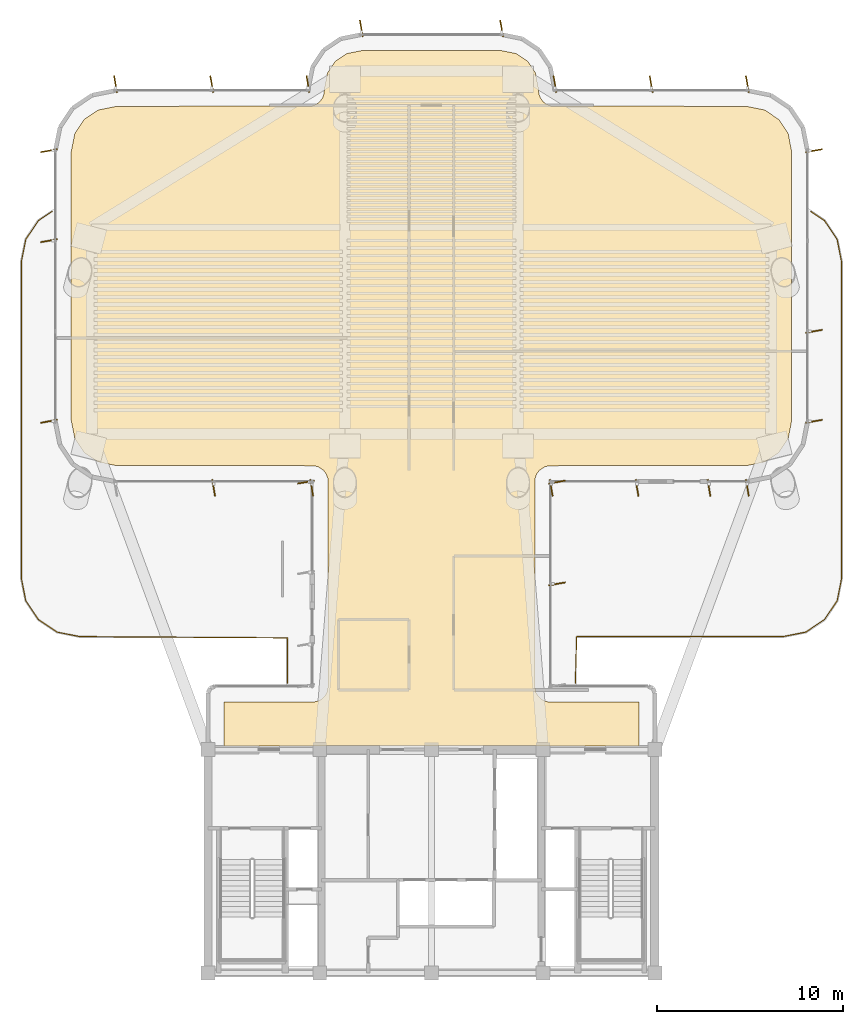
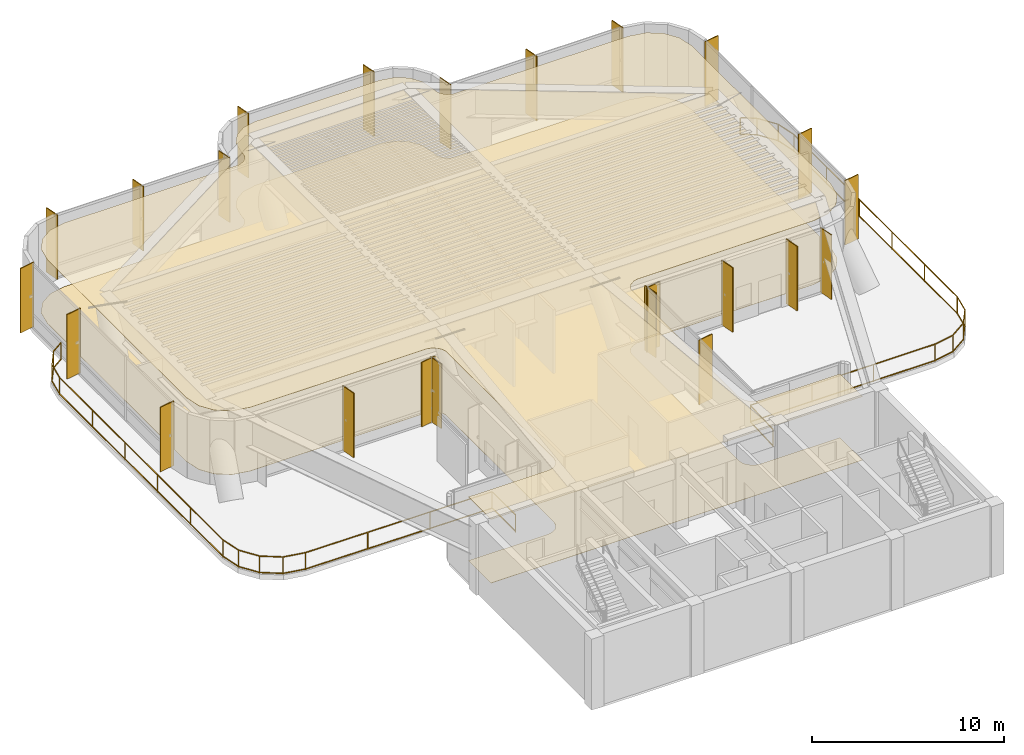
# One storey, part 13 of 13: 23 shading devices, 2 coverings, 2 railings.
"""IFC4 building model written with IfcOpenShell, lengths in metres."""

from ifc_helpers import new_model, si_unit, direction, frame, origin, origin_2d, place, context, subcontext, project, spatial, polyline, rectangle, outline, extrude, source, transform, mapped, material, layer, layer_set, material_profile, profile_set, type_object, element, save


model = new_model("IFC4")

# Units and contexts
model_context = context("Model", 3, precision=1e-05, world=origin(), true_north=direction((0.0, 1.0)))
body_context = subcontext(model_context, "Body", "Model", "MODEL_VIEW")
ifc_project = project(units=[si_unit("LENGTHUNIT", "METRE"), si_unit("AREAUNIT", "SQUARE_METRE"), si_unit("VOLUMEUNIT", "CUBIC_METRE"), si_unit("PLANEANGLEUNIT", "RADIAN"), si_unit("MASSUNIT", "GRAM", prefix="KILO")], contexts=[model_context])

# Site, building, storey
site_placement = place(None, origin())
site = spatial("IfcSite", under=ifc_project, at=site_placement, CompositionType="ELEMENT")
building_placement = place(site_placement, origin())
building = spatial("IfcBuilding", under=site, at=building_placement, Name="Brelvock Crest Care Tower", CompositionType="ELEMENT")
storey_placement = place(building_placement, frame((0.0, 0.0, 151.919921875)))
storey = spatial("IfcBuildingStorey", under=building, at=storey_placement, Name="L38", CompositionType="ELEMENT", Elevation=151.919921875)

# Coverings
ifc_material_1 = material(Name="Mineral Fibre Acoustic Ceiling Tile", Category="gypsum")
ifc_layer_1 = layer(ifc_material_1, 0.02490234375, Name="COV-CLG1")
ifc_layer_set_1 = layer_set([ifc_layer_1], Name="Mineral Fibre Acoustic Ceiling Tile")
covering_type_1 = type_object("IfcCoveringType", Name="COV-CLG1", PredefinedType="CEILING", material=ifc_layer_set_1)
covering_1_placement = place(storey_placement, frame((0.0, 0.0, 4.037109375)))
element("IfcCovering", 1, at=covering_1_placement, inside=storey, type_object=covering_type_1, Name="L38 Acoustic Suspended Ceiling 1", PredefinedType="CEILING", context=body_context, shape_type="SweptSolid", body=[
    extrude(outline(polyline([(24.85009765625, 18.199951171875), (47.14990234375, 18.199951171875), (47.14990234375, 20.550048828125), (42.316650390625, 20.55419921875), (42.1533203125, 20.586669921875), (41.927734375, 20.693359375), (41.742919921875, 20.86083984375), (41.61474609375, 21.07470703125), (41.550048828125, 21.39990234375), (41.56640625, 32.56591796875), (41.650390625, 32.80078125), (41.799072265625, 33.0009765625), (42.07470703125, 33.185302734375), (42.316650390625, 33.245849609375), (52.916259765625, 33.25), (53.892822265625, 33.4443359375), (54.64990234375, 33.9501953125), (55.15576171875, 34.70703125), (55.35009765625, 35.68359375), (55.35009765625, 50.1162109375), (55.15576171875, 51.093017578125), (54.64990234375, 51.849853515625), (53.892822265625, 52.355712890625), (52.916259765625, 52.550048828125), (42.43408203125, 52.56640625), (42.127685546875, 52.693359375), (41.9990234375, 52.799072265625), (41.850341796875, 52.999267578125), (41.766357421875, 53.234130859375), (41.75, 53.516357421875), (41.586181640625, 54.33984375), (41.1669921875, 54.967041015625), (40.539794921875, 55.38623046875), (39.71630859375, 55.550048828125), (32.28369140625, 55.550048828125), (31.460205078125, 55.38623046875), (30.8330078125, 54.967041015625), (30.413818359375, 54.33984375), (30.25, 53.516357421875), (30.233642578125, 53.234130859375), (30.149658203125, 52.999267578125), (30.0009765625, 52.799072265625), (29.872314453125, 52.693359375), (29.56591796875, 52.56640625), (19.083740234375, 52.550048828125), (18.107177734375, 52.355712890625), (17.35009765625, 51.849853515625), (16.84423828125, 51.093017578125), (16.64990234375, 50.1162109375), (16.64990234375, 35.68359375), (16.84423828125, 34.70703125), (17.35009765625, 33.9501953125), (18.107177734375, 33.4443359375), (19.083740234375, 33.25), (29.683349609375, 33.245849609375), (29.92529296875, 33.185302734375), (30.200927734375, 33.0009765625), (30.349609375, 32.80078125), (30.43359375, 32.56591796875), (30.449951171875, 21.39990234375), (30.38525390625, 21.07470703125), (30.257080078125, 20.86083984375), (30.13916015625, 20.742919921875), (29.92529296875, 20.61474609375), (29.683349609375, 20.55419921875), (24.85009765625, 20.550048828125), (24.85009765625, 18.199951171875)])), origin(), (0.0, 0.0, 1.0), 0.02490234375),
])
ifc_material_2 = material(Name="Slip-Resistant Acoustic Vinyl Flooring", Category="finish")
ifc_layer_2 = layer(ifc_material_2, 0.014892578125, Name="COV-FLR1")
ifc_layer_set_2 = layer_set([ifc_layer_2], Name="Slip-Resistant Acoustic Vinyl Flooring")
covering_type_2 = type_object("IfcCoveringType", Name="COV-FLR1", PredefinedType="FLOORING", material=ifc_layer_set_2)
covering_2_placement = place(storey_placement, origin())
element("IfcCovering", 2, at=covering_2_placement, inside=storey, type_object=covering_type_2, Name="L38 Slip-Resistant Acoustic Flooring 1", PredefinedType="FLOORING", context=body_context, shape_type="SweptSolid", body=[
    extrude(outline(polyline([(24.85009765625, 18.199951171875), (47.14990234375, 18.199951171875), (47.14990234375, 20.550048828125), (42.316650390625, 20.55419921875), (42.1533203125, 20.586669921875), (41.927734375, 20.693359375), (41.742919921875, 20.86083984375), (41.61474609375, 21.07470703125), (41.550048828125, 21.39990234375), (41.56640625, 32.56591796875), (41.650390625, 32.80078125), (41.799072265625, 33.0009765625), (42.07470703125, 33.185302734375), (42.316650390625, 33.245849609375), (52.916259765625, 33.25), (53.892822265625, 33.4443359375), (54.64990234375, 33.9501953125), (55.15576171875, 34.70703125), (55.35009765625, 35.68359375), (55.35009765625, 50.1162109375), (55.15576171875, 51.093017578125), (54.64990234375, 51.849853515625), (53.892822265625, 52.355712890625), (52.916259765625, 52.550048828125), (42.43408203125, 52.56640625), (42.127685546875, 52.693359375), (41.9990234375, 52.799072265625), (41.850341796875, 52.999267578125), (41.766357421875, 53.234130859375), (41.75, 53.516357421875), (41.586181640625, 54.33984375), (41.1669921875, 54.967041015625), (40.539794921875, 55.38623046875), (39.71630859375, 55.550048828125), (32.28369140625, 55.550048828125), (31.460205078125, 55.38623046875), (30.8330078125, 54.967041015625), (30.413818359375, 54.33984375), (30.25, 53.516357421875), (30.233642578125, 53.234130859375), (30.149658203125, 52.999267578125), (30.0009765625, 52.799072265625), (29.872314453125, 52.693359375), (29.56591796875, 52.56640625), (19.083740234375, 52.550048828125), (18.107177734375, 52.355712890625), (17.35009765625, 51.849853515625), (16.84423828125, 51.093017578125), (16.64990234375, 50.1162109375), (16.64990234375, 35.68359375), (16.84423828125, 34.70703125), (17.35009765625, 33.9501953125), (18.107177734375, 33.4443359375), (19.083740234375, 33.25), (29.683349609375, 33.245849609375), (29.92529296875, 33.185302734375), (30.200927734375, 33.0009765625), (30.349609375, 32.80078125), (30.43359375, 32.56591796875), (30.449951171875, 21.39990234375), (30.38525390625, 21.07470703125), (30.257080078125, 20.86083984375), (30.13916015625, 20.742919921875), (29.92529296875, 20.61474609375), (29.683349609375, 20.55419921875), (24.85009765625, 20.550048828125), (24.85009765625, 18.199951171875)])), origin(), (0.0, 0.0, 1.0), 0.01513671875),
])

# Railings
ifc_material_3 = material(Name="Dark Glass Double Glazed Low-E", Category="glass")
ifc_layer_3 = layer(ifc_material_3, 0.06005859375, Name="RL-BAL1")
ifc_layer_set_3 = layer_set([ifc_layer_3], Name="Dark Glass Double Glazed Low-E")
railing_type = type_object("IfcRailingType", Name="RL-BAL1", PredefinedType="BALUSTRADE", material=ifc_layer_set_3)
railing_1_placement = place(storey_placement, frame((56.3798828125, 46.901611328125, 0.004150390625)))
element("IfcRailing", 3, at=railing_1_placement, inside=storey, type_object=railing_type, Name="L38 Safety Balustrade SLB-TERR-L38-1-1", PredefinedType="BALUSTRADE", context=body_context, shape_type="SweptSolid", body=[
    extrude(rectangle(XDim=0.048095703125, YDim=0.048095703125, at=origin_2d()), frame((0.001708984375, -0.001220703125, 1.09619140625), z_axis=(0.831410195006, -0.555659146996, 0.0), x_axis=(0.555659146996, 0.831410195006, 0.0)), (0.0, 0.0, 1.0), 0.876953125),
    extrude(rectangle(XDim=0.048095703125, YDim=0.048095703125, at=origin_2d()), frame((0.001708984375, -0.001220703125, 0.054931640625), z_axis=(0.831410195006, -0.555659146996, 0.0), x_axis=(0.555659146996, 0.831410195006, 0.0)), (0.0, 0.0, 1.0), 0.876953125),
    extrude(rectangle(XDim=0.048095703125, YDim=0.048095703125, at=origin_2d()), frame((0.733642578125, -0.4912109375, 1.09619140625), z_axis=(0.555622969928, -0.831434372207, 0.0), x_axis=(0.831434372207, 0.555622969928, 0.0)), (0.0, 0.0, 1.0), 1.216552734375),
    extrude(rectangle(XDim=0.048095703125, YDim=0.048095703125, at=origin_2d()), frame((0.733642578125, -0.4912109375, 0.054931640625), z_axis=(0.555622969928, -0.831434372207, 0.0), x_axis=(0.831434372207, 0.555622969928, 0.0)), (0.0, 0.0, 1.0), 1.216552734375),
    extrude(rectangle(XDim=0.048095703125, YDim=0.048095703125, at=origin_2d()), frame((1.4111328125, -1.50634765625, 1.09619140625), z_axis=(0.195083474499, -0.980786642434, 0.0), x_axis=(0.980786642434, 0.195083474499, 0.0)), (0.0, 0.0, 1.0), 1.2236328125),
    extrude(rectangle(XDim=0.048095703125, YDim=0.048095703125, at=origin_2d()), frame((1.4111328125, -1.50634765625, 0.054931640625), z_axis=(0.195083474499, -0.980786642434, 0.0), x_axis=(0.980786642434, 0.195083474499, 0.0)), (0.0, 0.0, 1.0), 1.2236328125),
    extrude(rectangle(XDim=0.048095703125, YDim=0.048095703125, at=origin_2d()), frame((1.650146484375, -2.71044921875, 1.09619140625), z_axis=(0.0, -1.0, 0.0), x_axis=(1.0, 0.0, 0.0)), (0.0, 0.0, 1.0), 16.982421875),
    extrude(rectangle(XDim=0.048095703125, YDim=0.048095703125, at=origin_2d()), frame((1.650146484375, -2.71044921875, 0.054931640625), z_axis=(0.0, -1.0, 0.0), x_axis=(1.0, 0.0, 0.0)), (0.0, 0.0, 1.0), 16.982421875),
    extrude(rectangle(XDim=0.048095703125, YDim=0.048095703125, at=origin_2d()), frame((1.649658203125, -19.69677734375, 1.09619140625), z_axis=(-0.195083474499, -0.980786642434, 0.0), x_axis=(0.980786642434, -0.195083474499, 0.0)), (0.0, 0.0, 1.0), 1.2236328125),
    extrude(rectangle(XDim=0.048095703125, YDim=0.048095703125, at=origin_2d()), frame((1.649658203125, -19.69677734375, 0.054931640625), z_axis=(-0.195083474499, -0.980786642434, 0.0), x_axis=(0.980786642434, -0.195083474499, 0.0)), (0.0, 0.0, 1.0), 1.2236328125),
    extrude(rectangle(XDim=0.048095703125, YDim=0.048095703125, at=origin_2d()), frame((1.409423828125, -20.900634765625, 1.09619140625), z_axis=(-0.555622969928, -0.831434372207, 0.0), x_axis=(0.831434372207, -0.555622969928, 0.0)), (0.0, 0.0, 1.0), 1.216552734375),
    extrude(rectangle(XDim=0.048095703125, YDim=0.048095703125, at=origin_2d()), frame((1.409423828125, -20.900634765625, 0.054931640625), z_axis=(-0.555622969928, -0.831434372207, 0.0), x_axis=(0.831434372207, -0.555622969928, 0.0)), (0.0, 0.0, 1.0), 1.216552734375),
    extrude(rectangle(XDim=0.048095703125, YDim=0.048095703125, at=origin_2d()), frame((0.730712890625, -21.9150390625, 1.09619140625), z_axis=(-0.831434372207, -0.555622969928, 0.0), x_axis=(0.555622969928, -0.831434372207, 0.0)), (0.0, 0.0, 1.0), 1.216552734375),
    extrude(rectangle(XDim=0.048095703125, YDim=0.048095703125, at=origin_2d()), frame((0.730712890625, -21.9150390625, 0.054931640625), z_axis=(-0.831434372207, -0.555622969928, 0.0), x_axis=(0.555622969928, -0.831434372207, 0.0)), (0.0, 0.0, 1.0), 1.216552734375),
    extrude(rectangle(XDim=0.048095703125, YDim=0.048095703125, at=origin_2d()), frame((-0.284423828125, -22.592529296875, 1.09619140625), z_axis=(-0.980794208418, -0.195045432487, 0.0), x_axis=(0.195045432487, -0.980794208418, 0.0)), (0.0, 0.0, 1.0), 1.223876953125),
    extrude(rectangle(XDim=0.048095703125, YDim=0.048095703125, at=origin_2d()), frame((-0.284423828125, -22.592529296875, 0.054931640625), z_axis=(-0.980794208418, -0.195045432487, 0.0), x_axis=(0.195045432487, -0.980794208418, 0.0)), (0.0, 0.0, 1.0), 1.223876953125),
    extrude(rectangle(XDim=0.048095703125, YDim=0.048095703125, at=origin_2d()), frame((-1.48876953125, -22.83154296875, 1.09619140625), z_axis=(-1.0, 0.0, 0.0), x_axis=(0.0, -1.0, 0.0)), (0.0, 0.0, 1.0), 11.089111328125),
    extrude(rectangle(XDim=0.048095703125, YDim=0.048095703125, at=origin_2d()), frame((-1.48876953125, -22.83154296875, 0.054931640625), z_axis=(-1.0, 0.0, 0.0), x_axis=(0.0, -1.0, 0.0)), (0.0, 0.0, 1.0), 11.089111328125),
    extrude(rectangle(XDim=0.048095703125, YDim=0.048095703125, at=origin_2d()), frame((-12.579833984375, -22.83349609375, 1.09619140625), z_axis=(-0.028128878858, -0.9996043048, 0.0), x_axis=(0.9996043048, -0.028128878858, 0.0)), (0.0, 0.0, 1.0), 2.487060546875),
    extrude(rectangle(XDim=0.048095703125, YDim=0.048095703125, at=origin_2d()), frame((-12.579833984375, -22.83349609375, 0.054931640625), z_axis=(-0.028128878858, -0.9996043048, 0.0), x_axis=(0.9996043048, -0.028128878858, 0.0)), (0.0, 0.0, 1.0), 2.487060546875),
    extrude(rectangle(XDim=0.0419921875, YDim=0.0419921875, at=origin_2d()), origin(), (0.0, 0.0, 1.0), 1.070068359375),
    extrude(rectangle(XDim=0.0419921875, YDim=0.0419921875, at=origin_2d()), frame((0.732421875, -0.489501953125, 0.0)), (0.0, 0.0, 1.0), 1.070068359375),
    extrude(rectangle(XDim=0.0419921875, YDim=0.0419921875, at=origin_2d()), frame((1.41064453125, -1.50439453125, 0.0)), (0.0, 0.0, 1.0), 1.070068359375),
    extrude(rectangle(XDim=0.0419921875, YDim=0.0419921875, at=origin_2d()), frame((1.650146484375, -2.70849609375, 0.0)), (0.0, 0.0, 1.0), 1.070068359375),
    extrude(rectangle(XDim=0.0419921875, YDim=0.0419921875, at=origin_2d()), frame((1.650146484375, -6.105712890625, 0.0)), (0.0, 0.0, 1.0), 1.070068359375),
    extrude(rectangle(XDim=0.0419921875, YDim=0.0419921875, at=origin_2d()), frame((1.650146484375, -9.5029296875, 0.0)), (0.0, 0.0, 1.0), 1.070068359375),
    extrude(rectangle(XDim=0.0419921875, YDim=0.0419921875, at=origin_2d()), frame((1.650146484375, -12.900390625, 0.0)), (0.0, 0.0, 1.0), 1.070068359375),
    extrude(rectangle(XDim=0.0419921875, YDim=0.0419921875, at=origin_2d()), frame((1.650146484375, -16.297607421875, 0.0)), (0.0, 0.0, 1.0), 1.070068359375),
    extrude(rectangle(XDim=0.0419921875, YDim=0.0419921875, at=origin_2d()), frame((1.650146484375, -19.69482421875, 0.0)), (0.0, 0.0, 1.0), 1.070068359375),
    extrude(rectangle(XDim=0.0419921875, YDim=0.0419921875, at=origin_2d()), frame((1.41064453125, -20.89892578125, 0.0)), (0.0, 0.0, 1.0), 1.070068359375),
    extrude(rectangle(XDim=0.0419921875, YDim=0.0419921875, at=origin_2d()), frame((0.732421875, -21.913818359375, 0.0)), (0.0, 0.0, 1.0), 1.070068359375),
    extrude(rectangle(XDim=0.0419921875, YDim=0.0419921875, at=origin_2d()), frame((-0.282470703125, -22.592041015625, 0.0)), (0.0, 0.0, 1.0), 1.070068359375),
    extrude(rectangle(XDim=0.0419921875, YDim=0.0419921875, at=origin_2d()), frame((-1.48681640625, -22.83154296875, 0.0)), (0.0, 0.0, 1.0), 1.070068359375),
    extrude(rectangle(XDim=0.0419921875, YDim=0.0419921875, at=origin_2d()), frame((-5.1845703125, -22.83154296875, 0.0)), (0.0, 0.0, 1.0), 1.070068359375),
    extrude(rectangle(XDim=0.0419921875, YDim=0.0419921875, at=origin_2d()), frame((-8.882080078125, -22.83154296875, 0.0)), (0.0, 0.0, 1.0), 1.070068359375),
    extrude(rectangle(XDim=0.0419921875, YDim=0.0419921875, at=origin_2d()), frame((-12.579833984375, -22.83154296875, 0.0)), (0.0, 0.0, 1.0), 1.070068359375),
    extrude(rectangle(XDim=0.0419921875, YDim=0.0419921875, at=origin_2d()), frame((-12.64990234375, -25.321533203125, 0.0)), (0.0, 0.0, 1.0), 1.070068359375),
])
railing_2_placement = place(storey_placement, frame((28.27001953125, 21.580078125, 0.004150390625)))
element("IfcRailing", 4, at=railing_2_placement, inside=storey, type_object=railing_type, Name="L38 Safety Balustrade SLB-TERR-L38-2-1", PredefinedType="BALUSTRADE", context=body_context, shape_type="SweptSolid", body=[
    extrude(rectangle(XDim=0.048095703125, YDim=0.048095703125, at=origin_2d()), frame((0.0, 0.001953125, 1.09619140625), z_axis=(0.0, 1.0, 0.0), x_axis=(-1.0, 0.0, 0.0)), (0.0, 0.0, 1.0), 2.416015625),
    extrude(rectangle(XDim=0.048095703125, YDim=0.048095703125, at=origin_2d()), frame((0.0, 0.001953125, 0.054931640625), z_axis=(0.0, 1.0, 0.0), x_axis=(-1.0, 0.0, 0.0)), (0.0, 0.0, 1.0), 2.416015625),
    extrude(rectangle(XDim=0.048095703125, YDim=0.048095703125, at=origin_2d()), frame((-0.001953125, 2.419921875, 1.09619140625), z_axis=(-0.999980301528, 0.006276667539, 0.0), x_axis=(-0.006276667539, -0.999980301528, 0.0)), (0.0, 0.0, 1.0), 11.159423828125),
    extrude(rectangle(XDim=0.048095703125, YDim=0.048095703125, at=origin_2d()), frame((-0.001953125, 2.419921875, 0.054931640625), z_axis=(-0.999980301528, 0.006276667539, 0.0), x_axis=(-0.006276667539, -0.999980301528, 0.0)), (0.0, 0.0, 1.0), 11.159423828125),
    extrude(rectangle(XDim=0.048095703125, YDim=0.048095703125, at=origin_2d()), frame((-11.1650390625, 2.490478515625, 1.09619140625), z_axis=(-0.980794208418, 0.195045432487, 0.0), x_axis=(-0.195045432487, -0.980794208418, 0.0)), (0.0, 0.0, 1.0), 1.223876953125),
    extrude(rectangle(XDim=0.048095703125, YDim=0.048095703125, at=origin_2d()), frame((-11.1650390625, 2.490478515625, 0.054931640625), z_axis=(-0.980794208418, 0.195045432487, 0.0), x_axis=(-0.195045432487, -0.980794208418, 0.0)), (0.0, 0.0, 1.0), 1.223876953125),
    extrude(rectangle(XDim=0.048095703125, YDim=0.048095703125, at=origin_2d()), frame((-12.369140625, 2.730712890625, 1.09619140625), z_axis=(-0.831434372207, 0.555622969928, 0.0), x_axis=(-0.555622969928, -0.831434372207, 0.0)), (0.0, 0.0, 1.0), 1.216552734375),
    extrude(rectangle(XDim=0.048095703125, YDim=0.048095703125, at=origin_2d()), frame((-12.369140625, 2.730712890625, 0.054931640625), z_axis=(-0.831434372207, 0.555622969928, 0.0), x_axis=(-0.555622969928, -0.831434372207, 0.0)), (0.0, 0.0, 1.0), 1.216552734375),
    extrude(rectangle(XDim=0.048095703125, YDim=0.048095703125, at=origin_2d()), frame((-13.383544921875, 3.409423828125, 1.09619140625), z_axis=(-0.555622969928, 0.831434372207, 0.0), x_axis=(-0.831434372207, -0.555622969928, 0.0)), (0.0, 0.0, 1.0), 1.216552734375),
    extrude(rectangle(XDim=0.048095703125, YDim=0.048095703125, at=origin_2d()), frame((-13.383544921875, 3.409423828125, 0.054931640625), z_axis=(-0.555622969928, 0.831434372207, 0.0), x_axis=(-0.831434372207, -0.555622969928, 0.0)), (0.0, 0.0, 1.0), 1.216552734375),
    extrude(rectangle(XDim=0.048095703125, YDim=0.048095703125, at=origin_2d()), frame((-14.06103515625, 4.424560546875, 1.09619140625), z_axis=(-0.195083474499, 0.980786642434, 0.0), x_axis=(-0.980786642434, -0.195083474499, 0.0)), (0.0, 0.0, 1.0), 1.2236328125),
    extrude(rectangle(XDim=0.048095703125, YDim=0.048095703125, at=origin_2d()), frame((-14.06103515625, 4.424560546875, 0.054931640625), z_axis=(-0.195083474499, 0.980786642434, 0.0), x_axis=(-0.980786642434, -0.195083474499, 0.0)), (0.0, 0.0, 1.0), 1.2236328125),
    extrude(rectangle(XDim=0.048095703125, YDim=0.048095703125, at=origin_2d()), frame((-14.300048828125, 5.628662109375, 1.09619140625), z_axis=(0.0, 1.0, 0.0), x_axis=(-1.0, 0.0, 0.0)), (0.0, 0.0, 1.0), 16.982421875),
    extrude(rectangle(XDim=0.048095703125, YDim=0.048095703125, at=origin_2d()), frame((-14.300048828125, 5.628662109375, 0.054931640625), z_axis=(0.0, 1.0, 0.0), x_axis=(-1.0, 0.0, 0.0)), (0.0, 0.0, 1.0), 16.982421875),
    extrude(rectangle(XDim=0.048095703125, YDim=0.048095703125, at=origin_2d()), frame((-14.299560546875, 22.614990234375, 1.09619140625), z_axis=(0.195083474499, 0.980786642434, 0.0), x_axis=(-0.980786642434, 0.195083474499, 0.0)), (0.0, 0.0, 1.0), 1.2236328125),
    extrude(rectangle(XDim=0.048095703125, YDim=0.048095703125, at=origin_2d()), frame((-14.299560546875, 22.614990234375, 0.054931640625), z_axis=(0.195083474499, 0.980786642434, 0.0), x_axis=(-0.980786642434, 0.195083474499, 0.0)), (0.0, 0.0, 1.0), 1.2236328125),
    extrude(rectangle(XDim=0.048095703125, YDim=0.048095703125, at=origin_2d()), frame((-14.059326171875, 23.81884765625, 1.09619140625), z_axis=(0.555622969928, 0.831434372207, 0.0), x_axis=(-0.831434372207, 0.555622969928, 0.0)), (0.0, 0.0, 1.0), 1.216552734375),
    extrude(rectangle(XDim=0.048095703125, YDim=0.048095703125, at=origin_2d()), frame((-14.059326171875, 23.81884765625, 0.054931640625), z_axis=(0.555622969928, 0.831434372207, 0.0), x_axis=(-0.831434372207, 0.555622969928, 0.0)), (0.0, 0.0, 1.0), 1.216552734375),
    extrude(rectangle(XDim=0.048095703125, YDim=0.048095703125, at=origin_2d()), frame((-13.380615234375, 24.833251953125, 1.09619140625), z_axis=(0.831410195006, 0.555659146996, 0.0), x_axis=(-0.555659146996, 0.831410195006, 0.0)), (0.0, 0.0, 1.0), 0.876953125),
    extrude(rectangle(XDim=0.048095703125, YDim=0.048095703125, at=origin_2d()), frame((-13.380615234375, 24.833251953125, 0.054931640625), z_axis=(0.831410195006, 0.555659146996, 0.0), x_axis=(-0.555659146996, 0.831410195006, 0.0)), (0.0, 0.0, 1.0), 0.876953125),
    extrude(rectangle(XDim=0.0419921875, YDim=0.0419921875, at=origin_2d()), origin(), (0.0, 0.0, 1.0), 1.070068359375),
    extrude(rectangle(XDim=0.0419921875, YDim=0.0419921875, at=origin_2d()), frame((0.0, 2.419921875, 0.0)), (0.0, 0.0, 1.0), 1.070068359375),
    extrude(rectangle(XDim=0.0419921875, YDim=0.0419921875, at=origin_2d()), frame((-3.720947265625, 2.443359375, 0.0)), (0.0, 0.0, 1.0), 1.070068359375),
    extrude(rectangle(XDim=0.0419921875, YDim=0.0419921875, at=origin_2d()), frame((-7.442138671875, 2.466552734375, 0.0)), (0.0, 0.0, 1.0), 1.070068359375),
    extrude(rectangle(XDim=0.0419921875, YDim=0.0419921875, at=origin_2d()), frame((-11.1630859375, 2.489990234375, 0.0)), (0.0, 0.0, 1.0), 1.070068359375),
    extrude(rectangle(XDim=0.0419921875, YDim=0.0419921875, at=origin_2d()), frame((-12.367431640625, 2.7294921875, 0.0)), (0.0, 0.0, 1.0), 1.070068359375),
    extrude(rectangle(XDim=0.0419921875, YDim=0.0419921875, at=origin_2d()), frame((-13.38232421875, 3.40771484375, 0.0)), (0.0, 0.0, 1.0), 1.070068359375),
    extrude(rectangle(XDim=0.0419921875, YDim=0.0419921875, at=origin_2d()), frame((-14.060546875, 4.422607421875, 0.0)), (0.0, 0.0, 1.0), 1.070068359375),
    extrude(rectangle(XDim=0.0419921875, YDim=0.0419921875, at=origin_2d()), frame((-14.300048828125, 5.626708984375, 0.0)), (0.0, 0.0, 1.0), 1.070068359375),
    extrude(rectangle(XDim=0.0419921875, YDim=0.0419921875, at=origin_2d()), frame((-14.300048828125, 9.02392578125, 0.0)), (0.0, 0.0, 1.0), 1.070068359375),
    extrude(rectangle(XDim=0.0419921875, YDim=0.0419921875, at=origin_2d()), frame((-14.300048828125, 12.421142578125, 0.0)), (0.0, 0.0, 1.0), 1.070068359375),
    extrude(rectangle(XDim=0.0419921875, YDim=0.0419921875, at=origin_2d()), frame((-14.300048828125, 15.818603515625, 0.0)), (0.0, 0.0, 1.0), 1.070068359375),
    extrude(rectangle(XDim=0.0419921875, YDim=0.0419921875, at=origin_2d()), frame((-14.300048828125, 19.2158203125, 0.0)), (0.0, 0.0, 1.0), 1.070068359375),
    extrude(rectangle(XDim=0.0419921875, YDim=0.0419921875, at=origin_2d()), frame((-14.300048828125, 22.613037109375, 0.0)), (0.0, 0.0, 1.0), 1.070068359375),
    extrude(rectangle(XDim=0.0419921875, YDim=0.0419921875, at=origin_2d()), frame((-14.060546875, 23.817138671875, 0.0)), (0.0, 0.0, 1.0), 1.070068359375),
    extrude(rectangle(XDim=0.0419921875, YDim=0.0419921875, at=origin_2d()), frame((-13.38232421875, 24.83203125, 0.0)), (0.0, 0.0, 1.0), 1.070068359375),
    extrude(rectangle(XDim=0.0419921875, YDim=0.0419921875, at=origin_2d()), frame((-12.64990234375, 25.321533203125, 0.0)), (0.0, 0.0, 1.0), 1.070068359375),
])

# Shading devices
ifc_material_4 = material(Name="Aluminium 6063-T6", Category="aluminium")
ifc_material_profile = material_profile(ifc_material_4, rectangle(XDim=0.054931640625, YDim=0.89990234375, at=origin_2d()), Name="FIN55x900")
ifc_profile_set = profile_set([ifc_material_profile], Name="Aluminium 6063-T6")
shading_device_type = type_object("IfcShadingDeviceType", Name="SHD-FIN1", PredefinedType="USERDEFINED", material=ifc_profile_set)
shared_shape = source(origin(), body_context, "Body", "SweptSolid", [
    extrude(rectangle(XDim=0.054931640625, YDim=0.89990234375, at=origin_2d()), origin(), (0.0, 0.0, 1.0), 4.092041015625),
])
for number, where, z_axis, x_axis, name in (
    (5, (29.260009765625, 32.367431640625, 0.0), (0.0, 0.0, 1.0), (-0.173648177667, 0.984807753012, 0.0), "L38 Vertical Sunshade Fin E11B-02"),
    (6, (29.5673828125, 32.06005859375, 0.0), (0.0, 0.0, 1.0), (-0.984807753012, -0.173648177667, 0.0), "L38 Vertical Sunshade Fin E12-01"),
    (7, (24.300048828125, 32.06005859375, 0.0), (0.0, 0.0, 1.0), (-0.984807753012, -0.173648177667, 0.0), "L38 Vertical Sunshade Fin E12-02"),
    (8, (15.4599609375, 35.632568359375, 0.0), (0.0, 0.0, 1.0), (-0.173648177667, 0.984807753012, 0.0), "L38 Vertical Sunshade Fin E17-01"),
    (9, (15.4599609375, 45.333251953125, 0.0), (0.0, 0.0, 1.0), (-0.173648177667, 0.984807753012, 0.0), "L38 Vertical Sunshade Fin E17-03"),
    (10, (15.4599609375, 50.16748046875, 0.0), (0.0, 0.0, 1.0), (-0.173648177667, 0.984807753012, 0.0), "L38 Vertical Sunshade Fin E17-04"),
    (11, (19.032470703125, 53.739990234375, 0.0), (0.0, 0.0, 1.0), (0.984807753012, 0.173648177667, 0.0), "L38 Vertical Sunshade Fin E22-01"),
    (12, (24.199951171875, 53.739990234375, 0.0), (0.0, 0.0, 1.0), (0.984807753012, 0.173648177667, 0.0), "L38 Vertical Sunshade Fin E22-02"),
    (13, (29.367431640625, 53.739990234375, 0.0), (0.0, 0.0, 1.0), (0.984807753012, 0.173648177667, 0.0), "L38 Vertical Sunshade Fin E22-03"),
    (14, (32.232421875, 56.739990234375, 0.0), (0.0, 0.0, 1.0), (0.984807753012, 0.173648177667, 0.0), "L38 Vertical Sunshade Fin E28-01"),
    (15, (39.767578125, 56.739990234375, 0.0), (0.0, 0.0, 1.0), (0.984807753012, 0.173648177667, 0.0), "L38 Vertical Sunshade Fin E28-02"),
    (16, (42.632568359375, 53.739990234375, 0.0), (0.0, 0.0, 1.0), (0.984807753012, 0.173648177667, 0.0), "L38 Vertical Sunshade Fin E34-01"),
    (17, (47.800048828125, 53.739990234375, 0.0), (0.0, 0.0, 1.0), (0.984807753012, 0.173648177667, 0.0), "L38 Vertical Sunshade Fin E34-02"),
    (18, (52.967529296875, 53.739990234375, 0.0), (0.0, 0.0, 1.0), (0.984807753012, 0.173648177667, 0.0), "L38 Vertical Sunshade Fin E34-03"),
    (19, (56.5400390625, 50.16748046875, 0.0), (0.0, 0.0, 1.0), (0.173648177667, -0.984807753012, 0.0), "L38 Vertical Sunshade Fin E39-01"),
    (20, (56.5400390625, 40.466796875, 0.0), (0.0, 0.0, 1.0), (0.173648177667, -0.984807753012, 0.0), "L38 Vertical Sunshade Fin E39-03"),
    (21, (56.5400390625, 35.632568359375, 0.0), (0.0, 0.0, 1.0), (0.173648177667, -0.984807753012, 0.0), "L38 Vertical Sunshade Fin E39-04"),
    (22, (52.967529296875, 32.06005859375, 0.0), (0.0, 0.0, 1.0), (-0.984807753012, -0.173648177667, 0.0), "L38 Vertical Sunshade Fin E44A-01"),
    (23, (50.904541015625, 32.06005859375, 0.0), (0.0, 0.0, 1.0), (-0.984807753012, -0.173648177667, 0.0), "L38 Vertical Sunshade Fin E44A-02"),
    (24, (47.03955078125, 32.06005859375, 0.0), (0.0, 0.0, 1.0), (-0.984807753012, -0.173648177667, 0.0), "L38 Vertical Sunshade Fin E44B-01"),
    (25, (42.4326171875, 32.06005859375, 0.0), (0.0, 0.0, 1.0), (-0.984807753012, -0.173648177667, 0.0), "L38 Vertical Sunshade Fin E44B-02"),
    (26, (42.739990234375, 32.367431640625, 0.0), (0.0, 0.0, 1.0), (0.173648177667, -0.984807753012, 0.0), "L38 Vertical Sunshade Fin E45-01"),
    (27, (42.739990234375, 26.89990234375, 0.0), (0.0, 0.0, 1.0), (0.173648177667, -0.984807753012, 0.0), "L38 Vertical Sunshade Fin E45-02"),
):
    element("IfcShadingDevice", number, at=place(storey_placement, frame(where, z_axis=z_axis, x_axis=x_axis)), inside=storey, type_object=shading_device_type, Name=name, ObjectType="FIN", PredefinedType="USERDEFINED", context=body_context, shape_type="MappedRepresentation", body=[
        mapped(shared_shape, transform((0.0, 0.0, 0.0), x_axis=(1.0, 0.0, 0.0), y_axis=(0.0, 1.0, 0.0), z_axis=(0.0, 0.0, 1.0), scale=1.0)),
    ])

save(model, "model.ifc")
